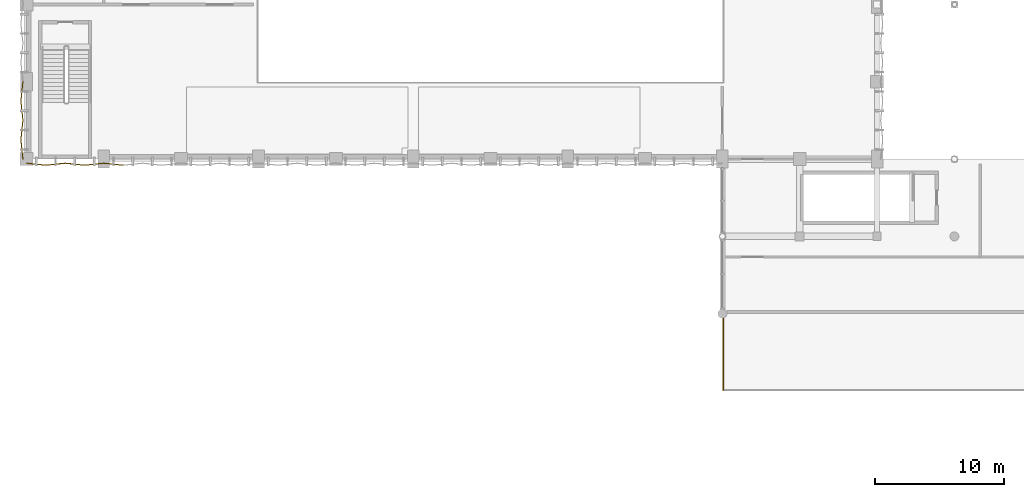
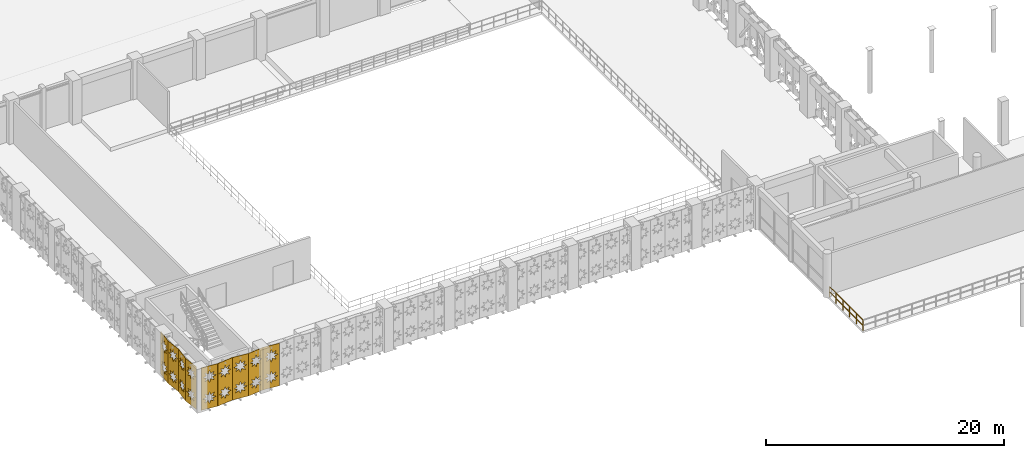
# One storey, part 106 of 116: 9 coverings, 1 railing.
"""IFC4 building model written with IfcOpenShell, lengths in metres."""

from ifc_helpers import new_model, si_unit, direction, frame, origin, origin_2d, place, context, subcontext, project, spatial, polyline, circle, outline, extrude, material, layer, layer_set, type_object, element, save


model = new_model("IFC4")

# Units and contexts
model_context = context("Model", 3, precision=1e-05, world=origin(), true_north=direction((0.0, 1.0)))
body_context = subcontext(model_context, "Body", "Model", "MODEL_VIEW")
ifc_project = project(units=[si_unit("LENGTHUNIT", "METRE"), si_unit("AREAUNIT", "SQUARE_METRE"), si_unit("VOLUMEUNIT", "CUBIC_METRE"), si_unit("PLANEANGLEUNIT", "RADIAN"), si_unit("MASSUNIT", "GRAM", prefix="KILO"), si_unit("THERMODYNAMICTEMPERATUREUNIT", "KELVIN"), si_unit("POWERUNIT", "WATT")], contexts=[model_context])

# Site, building, storey
site_placement = place(None, origin())
site = spatial("IfcSite", under=ifc_project, at=site_placement, CompositionType="ELEMENT")
building_placement = place(site_placement, origin())
building = spatial("IfcBuilding", under=site, at=building_placement, Name="Phaisarnlok Congress Hotel", CompositionType="ELEMENT")
storey_placement = place(building_placement, frame((0.0, 0.0, 10.5)))
storey = spatial("IfcBuildingStorey", under=building, at=storey_placement, Name="L02", CompositionType="ELEMENT", Elevation=10.5)

# Coverings
ifc_material_1 = material(Name="PVDF White Perforated Aluminium Alloy 5052", Category="aluminium")
ifc_layer = layer(ifc_material_1, 0.0400390625, Name="PVDF White Perforated Aluminium Alloy 5052")
ifc_layer_set = layer_set([ifc_layer], Name="PVDF White Perforated Aluminium Alloy 5052")
covering_type = type_object("IfcCoveringType", Name="COV-STAR-FOLD", PredefinedType="CLADDING", material=ifc_layer_set)
for number, where, z_axis, x_axis, name in (
    (1, (-0.300048828125, 42.0, 0.06005859375), (0.994517863207, 0.104566819602, 0.0), (-0.104566819602, 0.994517863207, 0.0), "Folded star-perforated hall screen SS-02 (V1W L02)"),
    (2, (-0.457763671875, 43.5, 0.06005859375), (0.994517863207, -0.104566819602, 0.0), (0.104566819602, 0.994517863207, 0.0), "Folded star-perforated hall screen SS-02 (V1W L02)"),
    (3, (-0.300048828125, 45.0, 0.06005859375), (0.994517863207, 0.104566819602, 0.0), (-0.104566819602, 0.994517863207, 0.0), "Folded star-perforated hall screen SS-02 (V1W L02)"),
    (4, (-0.457763671875, 46.5, 0.06005859375), (0.994517863207, -0.104566819602, 0.0), (0.104566819602, 0.994517863207, 0.0), "Folded star-perforated hall screen SS-02 (V1W L02)"),
    (5, (0.0, 41.699951171875, 0.06005859375), (-0.104566819602, -0.994517863207, 0.0), (0.994517863207, -0.104566819602, 0.0), "Folded star-perforated hall screen SS-02 (V1S L02)"),
    (6, (1.5, 41.542236328125, 0.06005859375), (0.104566819602, -0.994517863207, 0.0), (0.994517863207, 0.104566819602, 0.0), "Folded star-perforated hall screen SS-02 (V1S L02)"),
    (7, (3.0, 41.699951171875, 0.06005859375), (-0.104566819602, -0.994517863207, 0.0), (0.994517863207, -0.104566819602, 0.0), "Folded star-perforated hall screen SS-02 (V1S L02)"),
    (8, (4.5, 41.542236328125, 0.06005859375), (0.104566819602, -0.994517863207, 0.0), (0.994517863207, 0.104566819602, 0.0), "Folded star-perforated hall screen SS-02 (V1S L02)"),
    (9, (6.0, 41.699951171875, 0.06005859375), (-0.104566819602, -0.994517863207, 0.0), (0.994517863207, -0.104566819602, 0.0), "Folded star-perforated hall screen SS-02 (V1S L02)"),
):
    element("IfcCovering", number, at=place(storey_placement, frame(where, z_axis=z_axis, x_axis=x_axis)), inside=storey, type_object=covering_type, Name=name, PredefinedType="CLADDING", context=body_context, shape_type="SweptSolid", body=[
        extrude(outline(polyline([(0.0, 0.0), (1.5082685344258453, 0.0), (1.5082685344258453, 4.35986328125), (0.0, 4.35986328125), (0.0, 0.0)]), holes=[polyline([(1.0351, 0.9736), (1.2021, 0.6421), (0.8705, 0.8091), (0.7541, 0.4565), (0.6378, 0.8091), (0.3062, 0.6421), (0.4732, 0.9736), (0.1207, 1.09), (0.4732, 1.2064), (0.3062, 1.5379), (0.6378, 1.3709), (0.7541, 1.7235), (0.8705, 1.3709), (1.2021, 1.5379), (1.0351, 1.2064), (1.3876, 1.09), (1.0351, 0.9736)]), polyline([(1.0351, 3.1536), (1.2021, 2.8221), (0.8705, 2.9891), (0.7541, 2.6365), (0.6378, 2.9891), (0.3062, 2.8221), (0.4732, 3.1536), (0.1207, 3.27), (0.4732, 3.3864), (0.3062, 3.7179), (0.6378, 3.5509), (0.7541, 3.9035), (0.8705, 3.5509), (1.2021, 3.7179), (1.0351, 3.3864), (1.3876, 3.27), (1.0351, 3.1536)])]), origin(), (0.0, 0.0, 1.0), 0.0400390625),
    ])

# Railing
ifc_material_2 = material(Name="Laminated Glass & Stainless Steel Grade 316", Category="steel")
railing_type = type_object("IfcRailingType", Name="RLG-TER-1100", PredefinedType="BALUSTRADE", material=ifc_material_2)
railing_placement = place(storey_placement, frame((54.06005859375, 24.06005859375, 0.0)))
element("IfcRailing", 10, at=railing_placement, inside=storey, type_object=railing_type, Name="Terrace balustrade guard GD-01 (L02 foyer_terrace_s)", PredefinedType="BALUSTRADE", context=body_context, shape_type="SweptSolid", body=[
    extrude(circle(Radius=0.02392578125, at=origin_2d()), frame((0.0, 0.0, 1.076171875), z_axis=(0.0, 1.0, 0.0), x_axis=(-1.0, 0.0, 0.0)), (0.0, 0.0, 1.0), 5.699951171875),
    extrude(circle(Radius=0.02392578125, at=origin_2d()), frame((0.0, 0.0, 0.52587890625), z_axis=(0.0, 1.0, 0.0), x_axis=(-1.0, 0.0, 0.0)), (0.0, 0.0, 1.0), 5.699951171875),
    extrude(circle(Radius=0.02099609375, at=origin_2d()), origin(), (0.0, 0.0, 1.0), 1.052001953125),
    extrude(circle(Radius=0.02099609375, at=origin_2d()), frame((0.0, 1.139892578125, 0.0)), (0.0, 0.0, 1.0), 1.052001953125),
    extrude(circle(Radius=0.02099609375, at=origin_2d()), frame((0.0, 2.280029296875, 0.0)), (0.0, 0.0, 1.0), 1.052001953125),
    extrude(circle(Radius=0.02099609375, at=origin_2d()), frame((0.0, 3.419921875, 0.0)), (0.0, 0.0, 1.0), 1.052001953125),
    extrude(circle(Radius=0.02099609375, at=origin_2d()), frame((0.0, 4.56005859375, 0.0)), (0.0, 0.0, 1.0), 1.052001953125),
    extrude(circle(Radius=0.02099609375, at=origin_2d()), frame((0.0, 5.699951171875, 0.0)), (0.0, 0.0, 1.0), 1.052001953125),
])

save(model, "model.ifc")
